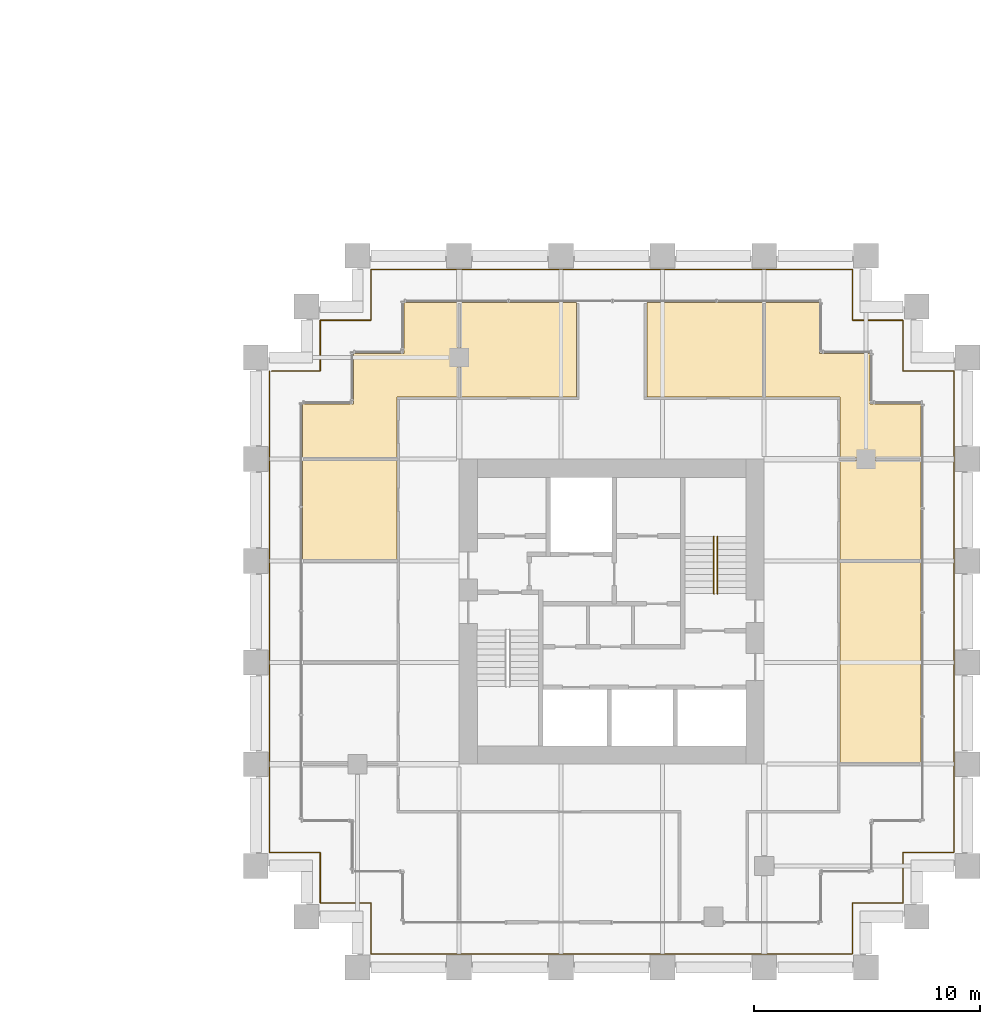
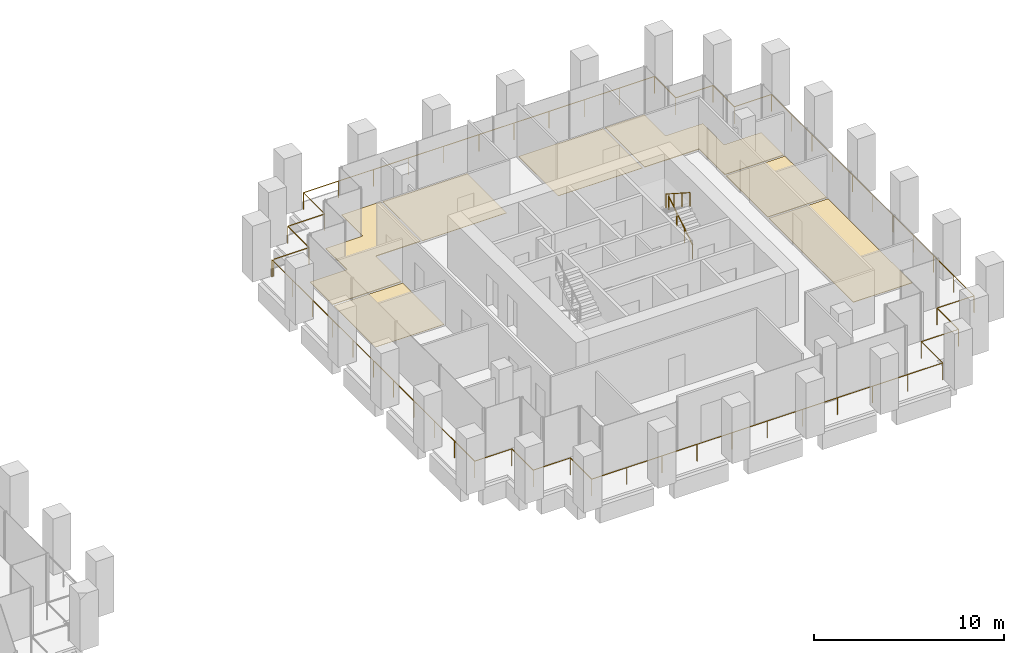
# One storey, part 55 of 55: 7 coverings, 3 railings.
"""IFC4 building model written with IfcOpenShell, lengths in metres."""

from ifc_helpers import new_model, si_unit, direction, frame, origin, origin_2d, place, context, subcontext, project, spatial, polyline, circle, outline, extrude, source, transform, mapped, material, layer, layer_set, type_object, element, save


model = new_model("IFC4")

# Units and contexts
model_context = context("Model", 3, precision=1e-05, world=origin(), true_north=direction((0.0, 1.0)))
body_context = subcontext(model_context, "Body", "Model", "MODEL_VIEW")
ifc_project = project(units=[si_unit("LENGTHUNIT", "METRE"), si_unit("AREAUNIT", "SQUARE_METRE"), si_unit("VOLUMEUNIT", "CUBIC_METRE"), si_unit("PLANEANGLEUNIT", "RADIAN"), si_unit("MASSUNIT", "GRAM", prefix="KILO")], contexts=[model_context])

# Site, building, storey
site_placement = place(None, origin())
site = spatial("IfcSite", under=ifc_project, at=site_placement, CompositionType="ELEMENT")
building_placement = place(site_placement, origin())
building = spatial("IfcBuilding", under=site, at=building_placement, Name="Altepetl Exchange Towers", CompositionType="ELEMENT")
storey_placement = place(building_placement, frame((0.0, 0.0, 47.39990234375)))
storey = spatial("IfcBuildingStorey", under=building, at=storey_placement, Name="L10", CompositionType="ELEMENT", Elevation=47.39990234375)

# Coverings
ifc_material_1 = material(Name="Carpet tile")
ifc_layer_1 = layer(ifc_material_1, 0.02001953125)
ifc_layer_set_1 = layer_set([ifc_layer_1], Name="Carpet tile")
covering_type_1 = type_object("IfcCoveringType", Name="Carpet tile floor", PredefinedType="FLOORING", material=ifc_layer_set_1)
covering_1_placement = place(storey_placement, origin())
element("IfcCovering", 1, at=covering_1_placement, inside=storey, type_object=covering_type_1, Name="Open office floor finish B10.09", PredefinedType="FLOORING", context=body_context, shape_type="SweptSolid", body=[
    extrude(outline(polyline([(111.8125, 52.262451171875), (116.9375, 52.262451171875), (116.9375, 56.4375), (111.8125, 56.4375), (111.8125, 52.262451171875)])), origin(), (0.0, 0.0, 1.0), 0.02001953125),
])
covering_2_placement = place(storey_placement, origin())
element("IfcCovering", 2, at=covering_2_placement, inside=storey, type_object=covering_type_1, Name="Open office floor finish B10.10", PredefinedType="FLOORING", context=body_context, shape_type="SweptSolid", body=[
    extrude(outline(polyline([(108.6875, 56.4375), (103.5625, 56.4375), (103.5625, 52.262451171875), (108.6875, 52.262451171875), (108.6875, 56.4375)])), origin(), (0.0, 0.0, 1.0), 0.02001953125),
])
covering_3_placement = place(storey_placement, origin())
element("IfcCovering", 3, at=covering_3_placement, inside=storey, type_object=covering_type_1, Name="Huddle room floor finish B10.12", PredefinedType="FLOORING", context=body_context, shape_type="SweptSolid", body=[
    extrude(outline(polyline([(100.737548828125, 49.4375), (96.5625, 49.4375), (96.5625, 45.0625), (100.737548828125, 45.0625), (100.737548828125, 49.4375)])), origin(), (0.0, 0.0, 1.0), 0.02001953125),
])
ifc_material_2 = material(Name="Cantera stone", Category="masonry")
ifc_layer_2 = layer(ifc_material_2, 0.030029296875)
ifc_layer_set_2 = layer_set([ifc_layer_2], Name="Cantera stone")
covering_type_2 = type_object("IfcCoveringType", Name="Polished stone floor", PredefinedType="FLOORING", material=ifc_layer_set_2)
covering_4_placement = place(storey_placement, origin())
element("IfcCovering", 4, at=covering_4_placement, inside=storey, type_object=covering_type_2, Name="Cafe floor finish B10.06", PredefinedType="FLOORING", context=body_context, shape_type="SweptSolid", body=[
    extrude(outline(polyline([(120.362548828125, 36.0625), (123.9375, 36.0625), (123.9375, 44.9375), (120.362548828125, 44.9375), (120.362548828125, 36.0625)])), origin(), (0.0, 0.0, 1.0), 0.030029296875),
])
ifc_material_3 = material(Name="Calcium sulphate access floor panel")
ifc_layer_3 = layer(ifc_material_3, 0.0400390625)
ifc_layer_set_3 = layer_set([ifc_layer_3], Name="Calcium sulphate access floor panel")
covering_type_3 = type_object("IfcCoveringType", Name="Raised access floor panels", PredefinedType="FLOORING", material=ifc_layer_set_3)
covering_5_placement = place(storey_placement, origin())
element("IfcCovering", 5, at=covering_5_placement, inside=storey, type_object=covering_type_3, Name="Data room floor finish B10.07", PredefinedType="FLOORING", context=body_context, shape_type="SweptSolid", body=[
    extrude(outline(polyline([(123.9375, 49.4375), (120.362548828125, 49.4375), (120.362548828125, 45.0625), (123.9375, 45.0625), (123.9375, 49.4375)])), origin(), (0.0, 0.0, 1.0), 0.0400390625),
])
covering_6_placement = place(storey_placement, origin())
element("IfcCovering", 6, at=covering_6_placement, inside=storey, type_object=covering_type_3, Name="Clearing office floor finish B10.08", PredefinedType="FLOORING", context=body_context, shape_type="SweptSolid", body=[
    extrude(outline(polyline([(119.4375, 54.1875), (119.4375, 56.4375), (117.0625, 56.4375), (117.0625, 52.262451171875), (120.362548828125, 52.262451171875), (120.362548828125, 49.5625), (123.9375, 49.5625), (123.9375, 51.9375), (121.6875, 51.9375), (121.6875, 54.1875), (119.4375, 54.1875)])), origin(), (0.0, 0.0, 1.0), 0.0400390625),
])
covering_7_placement = place(storey_placement, origin())
element("IfcCovering", 7, at=covering_7_placement, inside=storey, type_object=covering_type_3, Name="Settlement office floor finish B10.11", PredefinedType="FLOORING", context=body_context, shape_type="SweptSolid", body=[
    extrude(outline(polyline([(101.0625, 56.4375), (101.0625, 54.1875), (98.8125, 54.1875), (98.8125, 51.9375), (96.5625, 51.9375), (96.5625, 49.5625), (100.737548828125, 49.5625), (100.737548828125, 52.262451171875), (103.4375, 52.262451171875), (103.4375, 56.4375), (101.0625, 56.4375)])), origin(), (0.0, 0.0, 1.0), 0.0400390625),
])

# Railings
ifc_material_4 = material(Name="Steel S355", Category="steel")
railing_type_1 = type_object("IfcRailingType", Name="Guard 1100 steel posts and rail", PredefinedType="GUARDRAIL", material=ifc_material_4)
shared_shape_1 = source(origin(), body_context, "Body", "SweptSolid", [
    extrude(circle(Radius=0.02099609375, at=origin_2d()), origin(), (0.0, 0.0, 1.0), 1.052001953125),
])
railing_1_placement = place(storey_placement, frame((95.10009765625, 53.39990234375, 0.0)))
element("IfcRailing", 8, at=railing_1_placement, inside=storey, type_object=railing_type_1, Name="Loggia guard", PredefinedType="GUARDRAIL", context=body_context, shape_type="SweptSolid", body=[
    extrude(circle(Radius=0.02392578125, at=origin_2d()), frame((0.0, 0.0, 1.076171875), z_axis=(0.0, -1.0, 0.0), x_axis=(1.0, 0.0, 0.0)), (0.0, 0.0, 1.0), 21.2998046875),
    extrude(circle(Radius=0.02392578125, at=origin_2d()), frame((0.0, -21.2998046875, 1.076171875), z_axis=(1.0, 0.0, 0.0), x_axis=(0.0, 1.0, 0.0)), (0.0, 0.0, 1.0), 2.25),
    extrude(circle(Radius=0.02392578125, at=origin_2d()), frame((2.25, -21.2998046875, 1.076171875), z_axis=(0.0, -1.0, 0.0), x_axis=(1.0, 0.0, 0.0)), (0.0, 0.0, 1.0), 2.25),
    extrude(circle(Radius=0.02392578125, at=origin_2d()), frame((2.25, -23.5498046875, 1.076171875), z_axis=(1.0, 0.0, 0.0), x_axis=(0.0, 1.0, 0.0)), (0.0, 0.0, 1.0), 2.25),
    extrude(circle(Radius=0.02392578125, at=origin_2d()), frame((4.5, -23.5498046875, 1.076171875), z_axis=(0.0, -1.0, 0.0), x_axis=(1.0, 0.0, 0.0)), (0.0, 0.0, 1.0), 2.25),
    extrude(circle(Radius=0.02392578125, at=origin_2d()), frame((4.5, -25.7998046875, 1.076171875), z_axis=(1.0, 0.0, 0.0), x_axis=(0.0, 1.0, 0.0)), (0.0, 0.0, 1.0), 21.2998046875),
    extrude(circle(Radius=0.02392578125, at=origin_2d()), frame((25.7998046875, -25.7998046875, 1.076171875), z_axis=(0.0, 1.0, 0.0), x_axis=(-1.0, 0.0, 0.0)), (0.0, 0.0, 1.0), 2.25),
    extrude(circle(Radius=0.02392578125, at=origin_2d()), frame((25.7998046875, -23.5498046875, 1.076171875), z_axis=(1.0, 0.0, 0.0), x_axis=(0.0, 1.0, 0.0)), (0.0, 0.0, 1.0), 2.25),
    extrude(circle(Radius=0.02392578125, at=origin_2d()), frame((28.0498046875, -23.5498046875, 1.076171875), z_axis=(0.0, 1.0, 0.0), x_axis=(-1.0, 0.0, 0.0)), (0.0, 0.0, 1.0), 2.25),
    extrude(circle(Radius=0.02392578125, at=origin_2d()), frame((28.0498046875, -21.2998046875, 1.076171875), z_axis=(1.0, 0.0, 0.0), x_axis=(0.0, 1.0, 0.0)), (0.0, 0.0, 1.0), 2.25),
    extrude(circle(Radius=0.02392578125, at=origin_2d()), frame((30.2998046875, -21.2998046875, 1.076171875), z_axis=(0.0, 1.0, 0.0), x_axis=(-1.0, 0.0, 0.0)), (0.0, 0.0, 1.0), 21.2998046875),
    extrude(circle(Radius=0.02392578125, at=origin_2d()), frame((30.2998046875, 0.0, 1.076171875), z_axis=(-1.0, 0.0, 0.0), x_axis=(0.0, -1.0, 0.0)), (0.0, 0.0, 1.0), 2.25),
    extrude(circle(Radius=0.02392578125, at=origin_2d()), frame((28.0498046875, 0.0, 1.076171875), z_axis=(0.0, 1.0, 0.0), x_axis=(-1.0, 0.0, 0.0)), (0.0, 0.0, 1.0), 2.25),
    extrude(circle(Radius=0.02392578125, at=origin_2d()), frame((28.0498046875, 2.25, 1.076171875), z_axis=(-1.0, 0.0, 0.0), x_axis=(0.0, -1.0, 0.0)), (0.0, 0.0, 1.0), 2.25),
    extrude(circle(Radius=0.02392578125, at=origin_2d()), frame((25.7998046875, 2.25, 1.076171875), z_axis=(0.0, 1.0, 0.0), x_axis=(-1.0, 0.0, 0.0)), (0.0, 0.0, 1.0), 2.25),
    extrude(circle(Radius=0.02392578125, at=origin_2d()), frame((25.7998046875, 4.5, 1.076171875), z_axis=(-1.0, 0.0, 0.0), x_axis=(0.0, -1.0, 0.0)), (0.0, 0.0, 1.0), 21.2998046875),
    extrude(circle(Radius=0.02392578125, at=origin_2d()), frame((4.5, 4.5, 1.076171875), z_axis=(0.0, -1.0, 0.0), x_axis=(1.0, 0.0, 0.0)), (0.0, 0.0, 1.0), 2.25),
    extrude(circle(Radius=0.02392578125, at=origin_2d()), frame((4.5, 2.25, 1.076171875), z_axis=(-1.0, 0.0, 0.0), x_axis=(0.0, -1.0, 0.0)), (0.0, 0.0, 1.0), 2.25),
    extrude(circle(Radius=0.02392578125, at=origin_2d()), frame((2.25, 2.25, 1.076171875), z_axis=(0.0, -1.0, 0.0), x_axis=(1.0, 0.0, 0.0)), (0.0, 0.0, 1.0), 2.25),
    extrude(circle(Radius=0.02392578125, at=origin_2d()), frame((2.25, 0.0, 1.076171875), z_axis=(-1.0, 0.0, 0.0), x_axis=(0.0, -1.0, 0.0)), (0.0, 0.0, 1.0), 2.150146484375),
    mapped(shared_shape_1, transform((0.0, 0.0, 0.0))),
    mapped(shared_shape_1, transform((0.0, -2.1298828125, 0.0))),
    mapped(shared_shape_1, transform((0.0, -4.260009765625, 0.0))),
    mapped(shared_shape_1, transform((0.0, -6.389892578125, 0.0))),
    mapped(shared_shape_1, transform((0.0, -8.52001953125, 0.0))),
    mapped(shared_shape_1, transform((0.0, -10.64990234375, 0.0))),
    mapped(shared_shape_1, transform((0.0, -12.77978515625, 0.0))),
    mapped(shared_shape_1, transform((0.0, -14.909912109375, 0.0))),
    mapped(shared_shape_1, transform((0.0, -17.039794921875, 0.0))),
    mapped(shared_shape_1, transform((0.0, -19.169921875, 0.0))),
    mapped(shared_shape_1, transform((0.0, -21.2998046875, 0.0))),
    mapped(shared_shape_1, transform((2.25, -21.2998046875, 0.0))),
    mapped(shared_shape_1, transform((2.25, -23.5498046875, 0.0))),
    mapped(shared_shape_1, transform((4.5, -23.5498046875, 0.0))),
    mapped(shared_shape_1, transform((4.5, -25.7998046875, 0.0))),
    mapped(shared_shape_1, transform((6.6298828125, -25.7998046875, 0.0))),
    mapped(shared_shape_1, transform((8.760009765625, -25.7998046875, 0.0))),
    mapped(shared_shape_1, transform((10.889892578125, -25.7998046875, 0.0))),
    mapped(shared_shape_1, transform((13.02001953125, -25.7998046875, 0.0))),
    mapped(shared_shape_1, transform((15.14990234375, -25.7998046875, 0.0))),
    mapped(shared_shape_1, transform((17.27978515625, -25.7998046875, 0.0))),
    mapped(shared_shape_1, transform((19.409912109375, -25.7998046875, 0.0))),
    mapped(shared_shape_1, transform((21.539794921875, -25.7998046875, 0.0))),
    mapped(shared_shape_1, transform((23.669921875, -25.7998046875, 0.0))),
    mapped(shared_shape_1, transform((25.7998046875, -25.7998046875, 0.0))),
    mapped(shared_shape_1, transform((25.7998046875, -23.5498046875, 0.0))),
    mapped(shared_shape_1, transform((28.0498046875, -23.5498046875, 0.0))),
    mapped(shared_shape_1, transform((28.0498046875, -21.2998046875, 0.0))),
    mapped(shared_shape_1, transform((30.2998046875, -21.2998046875, 0.0))),
    mapped(shared_shape_1, transform((30.2998046875, -19.169921875, 0.0))),
    mapped(shared_shape_1, transform((30.2998046875, -17.039794921875, 0.0))),
    mapped(shared_shape_1, transform((30.2998046875, -14.909912109375, 0.0))),
    mapped(shared_shape_1, transform((30.2998046875, -12.77978515625, 0.0))),
    mapped(shared_shape_1, transform((30.2998046875, -10.64990234375, 0.0))),
    mapped(shared_shape_1, transform((30.2998046875, -8.52001953125, 0.0))),
    mapped(shared_shape_1, transform((30.2998046875, -6.389892578125, 0.0))),
    mapped(shared_shape_1, transform((30.2998046875, -4.260009765625, 0.0))),
    mapped(shared_shape_1, transform((30.2998046875, -2.1298828125, 0.0))),
    mapped(shared_shape_1, transform((30.2998046875, 0.0, 0.0))),
    mapped(shared_shape_1, transform((28.0498046875, 0.0, 0.0))),
    mapped(shared_shape_1, transform((28.0498046875, 2.25, 0.0))),
    mapped(shared_shape_1, transform((25.7998046875, 2.25, 0.0))),
    mapped(shared_shape_1, transform((25.7998046875, 4.5, 0.0))),
    mapped(shared_shape_1, transform((23.669921875, 4.5, 0.0))),
    mapped(shared_shape_1, transform((21.539794921875, 4.5, 0.0))),
    mapped(shared_shape_1, transform((19.409912109375, 4.5, 0.0))),
    mapped(shared_shape_1, transform((17.27978515625, 4.5, 0.0))),
    mapped(shared_shape_1, transform((15.14990234375, 4.5, 0.0))),
    mapped(shared_shape_1, transform((13.02001953125, 4.5, 0.0))),
    mapped(shared_shape_1, transform((10.889892578125, 4.5, 0.0))),
    mapped(shared_shape_1, transform((8.760009765625, 4.5, 0.0))),
    mapped(shared_shape_1, transform((6.6298828125, 4.5, 0.0))),
    mapped(shared_shape_1, transform((4.5, 4.5, 0.0))),
    mapped(shared_shape_1, transform((4.5, 2.25, 0.0))),
    mapped(shared_shape_1, transform((2.25, 2.25, 0.0))),
    mapped(shared_shape_1, transform((2.25, 0.0, 0.0))),
    mapped(shared_shape_1, transform((0.099853515625, 0.0, 0.0))),
])
ifc_material_5 = material(Name="Steel", Category="steel")
railing_type_2 = type_object("IfcRailingType", Name="Stair handrail 50 steel tube", PredefinedType="HANDRAIL", material=ifc_material_5)
shared_shape_2 = source(origin(), body_context, "Body", "SweptSolid", [
    extrude(circle(Radius=0.02099609375, at=origin_2d()), origin(), (0.0, 0.0, 1.0), 0.851806640625),
])
railing_2_placement = place(storey_placement, frame((114.929931640625, 43.550048828125, 0.18017578125)))
element("IfcRailing", 9, at=railing_2_placement, inside=storey, type_object=railing_type_2, Name="Stair handrail", PredefinedType="HANDRAIL", context=body_context, shape_type="SweptSolid", body=[
    extrude(circle(Radius=0.02392578125, at=origin_2d()), frame((0.0, 0.0, 0.8759765625), z_axis=(0.0, 0.841199657755, 0.540724639528), x_axis=(-1.0, 0.0, 0.0)), (0.0, 0.0, 1.0), 2.995849609375),
    mapped(shared_shape_2, transform((0.0, 0.0, 0.0))),
    mapped(shared_shape_2, transform((0.0, 0.840087890625, 0.5400390625))),
    mapped(shared_shape_2, transform((0.0, 1.679931640625, 1.079833984375))),
    mapped(shared_shape_2, transform((0.0, 2.52001953125, 1.619873046875))),
])
railing_3_placement = place(storey_placement, frame((114.77001953125, 46.070068359375, 1.97998046875)))
element("IfcRailing", 10, at=railing_3_placement, inside=storey, type_object=railing_type_2, Name="Stair handrail", PredefinedType="HANDRAIL", context=body_context, shape_type="SweptSolid", body=[
    extrude(circle(Radius=0.02392578125, at=origin_2d()), frame((0.0, 0.0, 0.8759765625), z_axis=(0.0, -0.841162588446, 0.540782303519), x_axis=(1.0, 0.0, 0.0)), (0.0, 0.0, 1.0), 2.995849609375),
    mapped(shared_shape_2, transform((0.0, 0.0, 0.0))),
    mapped(shared_shape_2, transform((0.0, -0.840087890625, 0.5400390625))),
    mapped(shared_shape_2, transform((0.0, -1.679931640625, 1.080078125))),
    mapped(shared_shape_2, transform((0.0, -2.52001953125, 1.6201171875))),
])

save(model, "model.ifc")
